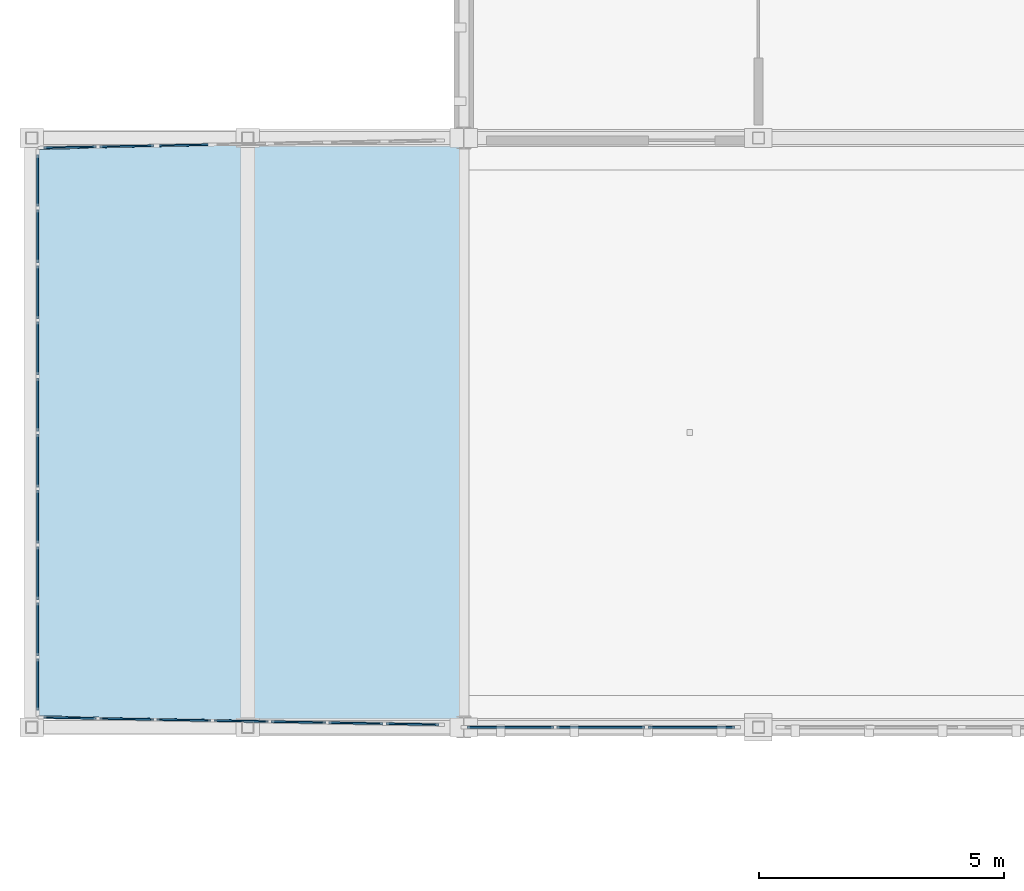
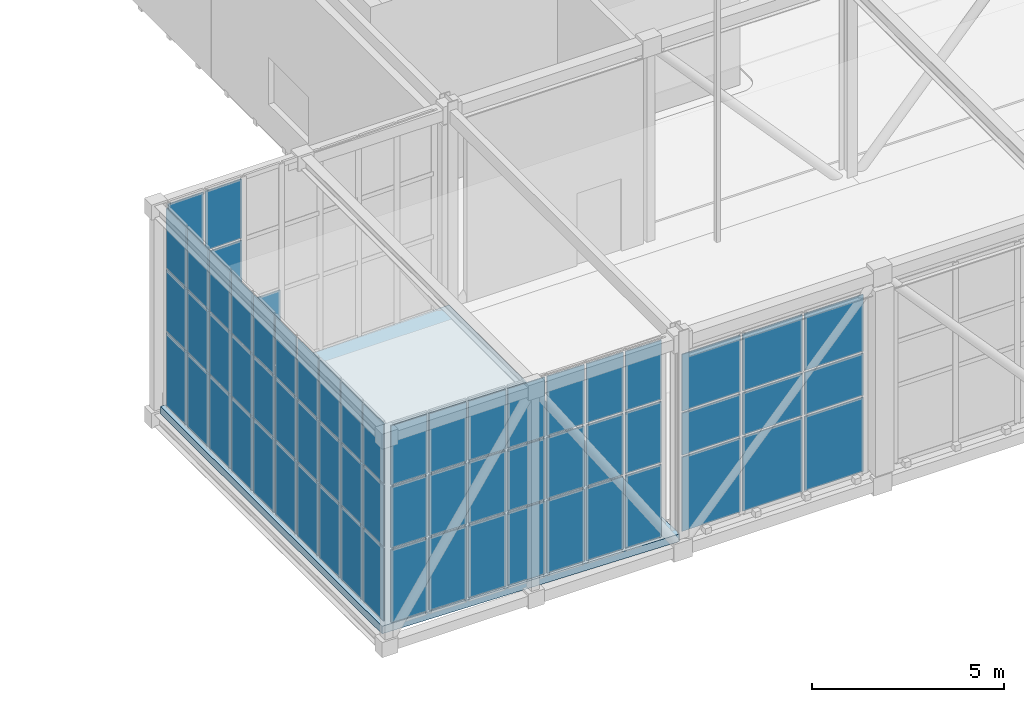
# One storey, part 31 of 62: 67 plates, 1 slab, 4 elements without a shape of their own.
"""IFC4 building model written with IfcOpenShell, lengths in metres."""

from ifc_helpers import new_model, si_unit, direction, frame, origin, origin_2d, place, context, subcontext, project, spatial, polyline, rectangle, outline, extrude, material, layer, layer_set, type_object, element, aggregate, save


model = new_model("IFC4")

# Units and contexts
model_context = context("Model", 3, precision=1e-05, world=origin(), true_north=direction((0.0, 1.0)))
body_context = subcontext(model_context, "Body", "Model", "MODEL_VIEW")
ifc_project = project(units=[si_unit("LENGTHUNIT", "METRE"), si_unit("AREAUNIT", "SQUARE_METRE"), si_unit("VOLUMEUNIT", "CUBIC_METRE"), si_unit("PLANEANGLEUNIT", "RADIAN"), si_unit("MASSUNIT", "GRAM", prefix="KILO")], contexts=[model_context])

# Site, building, storey
site_placement = place(None, origin())
site = spatial("IfcSite", under=ifc_project, at=site_placement, CompositionType="ELEMENT")
building_placement = place(site_placement, origin())
building = spatial("IfcBuilding", under=site, at=building_placement, Name="Zlatogorsky Bluff Art Gallery", CompositionType="ELEMENT")
storey_placement = place(building_placement, frame((0.0, 0.0, 16.800048828125)))
storey = spatial("IfcBuildingStorey", under=building, at=storey_placement, Name="L03", CompositionType="ELEMENT", Elevation=16.800048828125)

# Curtain wall, plates
ifc_material_1 = material(Name="Anodised Bronze Aluminium and Low-Iron Triple Glazing", Category="aluminium")
ifc_layer_1 = layer(ifc_material_1, 0.219970703125)
ifc_layer_set_1 = layer_set([ifc_layer_1], Name="Curtain Wall CW-04")
curtain_wall_type_1 = type_object("IfcCurtainWallType", Name="Curtain Wall CW-04", PredefinedType="USERDEFINED", material=ifc_layer_set_1)
curtain_wall_1_placement = place(storey_placement, origin())
curtain_wall_1 = element("IfcCurtainWall", 1, at=curtain_wall_1_placement, inside=storey, type_object=curtain_wall_type_1, Name="Unitised curtain wall CW-04 L03 S 0.8-A", ObjectType="CURTAIN WALL", PredefinedType="USERDEFINED")
ifc_material_2 = material(Name="Low-Iron Laminated Triple Glazing", Category="glass")
ifc_layer_2 = layer(ifc_material_2, 0.035888671875)
ifc_layer_set_2 = layer_set([ifc_layer_2], Name="Glazed Curtain Panel CWP-01")
plate_type = type_object("IfcPlateType", Name="Glazed Curtain Panel CWP-01", PredefinedType="CURTAIN_PANEL", material=ifc_layer_set_2)
plate_1_placement = place(storey_placement, frame((0.9462890625, 84.0, 0.06494140625), z_axis=(0.0, 0.0, 1.0), x_axis=(1.0, 0.0, 0.0)))
plate_1 = element("IfcPlate", 2, at=plate_1_placement, type_object=plate_type, Name="CW-04 panel 1.1", PredefinedType="CURTAIN_PANEL", context=body_context, shape_type="SweptSolid", body=[
    extrude(rectangle(XDim=1.762451171875, YDim=0.035888671875, at=origin_2d()), origin(), (0.0, 0.0, 1.0), 2.3525390625),
])
plate_2_placement = place(storey_placement, frame((0.9462890625, 84.0, 2.482421875), z_axis=(0.0, 0.0, 1.0), x_axis=(1.0, 0.0, 0.0)))
plate_2 = element("IfcPlate", 3, at=plate_2_placement, type_object=plate_type, Name="CW-04 panel 1.2", PredefinedType="CURTAIN_PANEL", context=body_context, shape_type="SweptSolid", body=[
    extrude(rectangle(XDim=1.762451171875, YDim=0.035888671875, at=origin_2d()), origin(), (0.0, 0.0, 1.0), 1.3349609375),
])
plate_3_placement = place(storey_placement, frame((0.9462890625, 84.0, 3.88232421875), z_axis=(0.0, 0.0, 1.0), x_axis=(1.0, 0.0, 0.0)))
plate_3 = element("IfcPlate", 4, at=plate_3_placement, type_object=plate_type, Name="CW-04 panel 1.3", PredefinedType="CURTAIN_PANEL", context=body_context, shape_type="SweptSolid", body=[
    extrude(rectangle(XDim=1.762451171875, YDim=0.035888671875, at=origin_2d()), origin(), (0.0, 0.0, 1.0), 1.802490234375),
])
plate_4_placement = place(storey_placement, frame((2.7900390625, 84.0, 0.06494140625), z_axis=(0.0, 0.0, 1.0), x_axis=(1.0, 0.0, 0.0)))
plate_4 = element("IfcPlate", 5, at=plate_4_placement, type_object=plate_type, Name="CW-04 panel 2.1", PredefinedType="CURTAIN_PANEL", context=body_context, shape_type="SweptSolid", body=[
    extrude(rectangle(XDim=1.794921875, YDim=0.035888671875, at=origin_2d()), origin(), (0.0, 0.0, 1.0), 2.3525390625),
])
plate_5_placement = place(storey_placement, frame((2.7900390625, 84.0, 2.482421875), z_axis=(0.0, 0.0, 1.0), x_axis=(1.0, 0.0, 0.0)))
plate_5 = element("IfcPlate", 6, at=plate_5_placement, type_object=plate_type, Name="CW-04 panel 2.2", PredefinedType="CURTAIN_PANEL", context=body_context, shape_type="SweptSolid", body=[
    extrude(rectangle(XDim=1.794921875, YDim=0.035888671875, at=origin_2d()), origin(), (0.0, 0.0, 1.0), 1.3349609375),
])
plate_6_placement = place(storey_placement, frame((2.7900390625, 84.0, 3.88232421875), z_axis=(0.0, 0.0, 1.0), x_axis=(1.0, 0.0, 0.0)))
plate_6 = element("IfcPlate", 7, at=plate_6_placement, type_object=plate_type, Name="CW-04 panel 2.3", PredefinedType="CURTAIN_PANEL", context=body_context, shape_type="SweptSolid", body=[
    extrude(rectangle(XDim=1.794921875, YDim=0.035888671875, at=origin_2d()), origin(), (0.0, 0.0, 1.0), 1.802490234375),
])
plate_7_placement = place(storey_placement, frame((4.6337890625, 84.0, 0.06494140625), z_axis=(0.0, 0.0, 1.0), x_axis=(1.0, 0.0, 0.0)))
plate_7 = element("IfcPlate", 8, at=plate_7_placement, type_object=plate_type, Name="CW-04 panel 3.1", PredefinedType="CURTAIN_PANEL", context=body_context, shape_type="SweptSolid", body=[
    extrude(rectangle(XDim=1.762451171875, YDim=0.035888671875, at=origin_2d()), origin(), (0.0, 0.0, 1.0), 2.3525390625),
])
plate_8_placement = place(storey_placement, frame((4.6337890625, 84.0, 2.482421875), z_axis=(0.0, 0.0, 1.0), x_axis=(1.0, 0.0, 0.0)))
plate_8 = element("IfcPlate", 9, at=plate_8_placement, type_object=plate_type, Name="CW-04 panel 3.2", PredefinedType="CURTAIN_PANEL", context=body_context, shape_type="SweptSolid", body=[
    extrude(rectangle(XDim=1.762451171875, YDim=0.035888671875, at=origin_2d()), origin(), (0.0, 0.0, 1.0), 1.3349609375),
])
plate_9_placement = place(storey_placement, frame((4.6337890625, 84.0, 3.88232421875), z_axis=(0.0, 0.0, 1.0), x_axis=(1.0, 0.0, 0.0)))
plate_9 = element("IfcPlate", 10, at=plate_9_placement, type_object=plate_type, Name="CW-04 panel 3.3", PredefinedType="CURTAIN_PANEL", context=body_context, shape_type="SweptSolid", body=[
    extrude(rectangle(XDim=1.762451171875, YDim=0.035888671875, at=origin_2d()), origin(), (0.0, 0.0, 1.0), 1.802490234375),
])
aggregate(curtain_wall_1, [plate_1, plate_2, plate_3, plate_4, plate_5, plate_6, plate_7, plate_8, plate_9])

ifc_layer_3 = layer(ifc_material_1, 0.179931640625)
ifc_layer_set_3 = layer_set([ifc_layer_3], Name="Curtain Wall CW-03")
curtain_wall_type_2 = type_object("IfcCurtainWallType", Name="Curtain Wall CW-03", PredefinedType="USERDEFINED", material=ifc_layer_set_3)
curtain_wall_2_placement = place(storey_placement, origin())
curtain_wall_2 = element("IfcCurtainWall", 11, at=curtain_wall_2_placement, inside=storey, type_object=curtain_wall_type_2, Name="Cantilevered lookout curtain wall W", ObjectType="CURTAIN WALL", PredefinedType="USERDEFINED")
plate_10_placement = place(storey_placement, frame((-8.679931640625, 95.1318359375, 0.06494140625), z_axis=(0.0, 0.0, 1.0), x_axis=(0.0, -1.0, 0.0)))
plate_10 = element("IfcPlate", 12, at=plate_10_placement, type_object=plate_type, Name="CW-03 panel 1.1", PredefinedType="CURTAIN_PANEL", context=body_context, shape_type="SweptSolid", body=[
    extrude(rectangle(XDim=1.04638671875, YDim=0.035888671875, at=origin_2d()), origin(), (0.0, 0.0, 1.0), 2.302490234375),
])
plate_11_placement = place(storey_placement, frame((-8.679931640625, 95.1318359375, 2.432373046875), z_axis=(0.0, 0.0, 1.0), x_axis=(0.0, -1.0, 0.0)))
plate_11 = element("IfcPlate", 13, at=plate_11_placement, type_object=plate_type, Name="CW-03 panel 1.2", PredefinedType="CURTAIN_PANEL", context=body_context, shape_type="SweptSolid", body=[
    extrude(rectangle(XDim=1.04638671875, YDim=0.035888671875, at=origin_2d()), origin(), (0.0, 0.0, 1.0), 1.93505859375),
])
plate_12_placement = place(storey_placement, frame((-8.679931640625, 95.1318359375, 4.4326171875), z_axis=(0.0, 0.0, 1.0), x_axis=(0.0, -1.0, 0.0)))
plate_12 = element("IfcPlate", 14, at=plate_12_placement, type_object=plate_type, Name="CW-03 panel 1.3", PredefinedType="CURTAIN_PANEL", context=body_context, shape_type="SweptSolid", body=[
    extrude(rectangle(XDim=1.04638671875, YDim=0.035888671875, at=origin_2d()), origin(), (0.0, 0.0, 1.0), 1.882568359375),
])
plate_13_placement = place(storey_placement, frame((-8.679931640625, 94.00390625, 0.06494140625), z_axis=(0.0, 0.0, 1.0), x_axis=(0.0, -1.0, 0.0)))
plate_13 = element("IfcPlate", 15, at=plate_13_placement, type_object=plate_type, Name="CW-03 panel 2.1", PredefinedType="CURTAIN_PANEL", context=body_context, shape_type="SweptSolid", body=[
    extrude(rectangle(XDim=1.0791015625, YDim=0.035888671875, at=origin_2d()), origin(), (0.0, 0.0, 1.0), 2.302490234375),
])
plate_14_placement = place(storey_placement, frame((-8.679931640625, 94.00390625, 2.432373046875), z_axis=(0.0, 0.0, 1.0), x_axis=(0.0, -1.0, 0.0)))
plate_14 = element("IfcPlate", 16, at=plate_14_placement, type_object=plate_type, Name="CW-03 panel 2.2", PredefinedType="CURTAIN_PANEL", context=body_context, shape_type="SweptSolid", body=[
    extrude(rectangle(XDim=1.0791015625, YDim=0.035888671875, at=origin_2d()), origin(), (0.0, 0.0, 1.0), 1.93505859375),
])
plate_15_placement = place(storey_placement, frame((-8.679931640625, 94.00390625, 4.4326171875), z_axis=(0.0, 0.0, 1.0), x_axis=(0.0, -1.0, 0.0)))
plate_15 = element("IfcPlate", 17, at=plate_15_placement, type_object=plate_type, Name="CW-03 panel 2.3", PredefinedType="CURTAIN_PANEL", context=body_context, shape_type="SweptSolid", body=[
    extrude(rectangle(XDim=1.0791015625, YDim=0.035888671875, at=origin_2d()), origin(), (0.0, 0.0, 1.0), 1.882568359375),
])
plate_16_placement = place(storey_placement, frame((-8.679931640625, 92.860107421875, 0.06494140625), z_axis=(0.0, 0.0, 1.0), x_axis=(0.0, -1.0, 0.0)))
plate_16 = element("IfcPlate", 18, at=plate_16_placement, type_object=plate_type, Name="CW-03 panel 3.1", PredefinedType="CURTAIN_PANEL", context=body_context, shape_type="SweptSolid", body=[
    extrude(rectangle(XDim=1.0791015625, YDim=0.035888671875, at=origin_2d()), origin(), (0.0, 0.0, 1.0), 2.302490234375),
])
plate_17_placement = place(storey_placement, frame((-8.679931640625, 92.860107421875, 2.432373046875), z_axis=(0.0, 0.0, 1.0), x_axis=(0.0, -1.0, 0.0)))
plate_17 = element("IfcPlate", 19, at=plate_17_placement, type_object=plate_type, Name="CW-03 panel 3.2", PredefinedType="CURTAIN_PANEL", context=body_context, shape_type="SweptSolid", body=[
    extrude(rectangle(XDim=1.0791015625, YDim=0.035888671875, at=origin_2d()), origin(), (0.0, 0.0, 1.0), 1.93505859375),
])
plate_18_placement = place(storey_placement, frame((-8.679931640625, 92.860107421875, 4.4326171875), z_axis=(0.0, 0.0, 1.0), x_axis=(0.0, -1.0, 0.0)))
plate_18 = element("IfcPlate", 20, at=plate_18_placement, type_object=plate_type, Name="CW-03 panel 3.3", PredefinedType="CURTAIN_PANEL", context=body_context, shape_type="SweptSolid", body=[
    extrude(rectangle(XDim=1.0791015625, YDim=0.035888671875, at=origin_2d()), origin(), (0.0, 0.0, 1.0), 1.882568359375),
])
plate_19_placement = place(storey_placement, frame((-8.679931640625, 91.716064453125, 0.06494140625), z_axis=(0.0, 0.0, 1.0), x_axis=(0.0, -1.0, 0.0)))
plate_19 = element("IfcPlate", 21, at=plate_19_placement, type_object=plate_type, Name="CW-03 panel 4.1", PredefinedType="CURTAIN_PANEL", context=body_context, shape_type="SweptSolid", body=[
    extrude(rectangle(XDim=1.0791015625, YDim=0.035888671875, at=origin_2d()), origin(), (0.0, 0.0, 1.0), 2.302490234375),
])
plate_20_placement = place(storey_placement, frame((-8.679931640625, 91.716064453125, 2.432373046875), z_axis=(0.0, 0.0, 1.0), x_axis=(0.0, -1.0, 0.0)))
plate_20 = element("IfcPlate", 22, at=plate_20_placement, type_object=plate_type, Name="CW-03 panel 4.2", PredefinedType="CURTAIN_PANEL", context=body_context, shape_type="SweptSolid", body=[
    extrude(rectangle(XDim=1.0791015625, YDim=0.035888671875, at=origin_2d()), origin(), (0.0, 0.0, 1.0), 1.93505859375),
])
plate_21_placement = place(storey_placement, frame((-8.679931640625, 91.716064453125, 4.4326171875), z_axis=(0.0, 0.0, 1.0), x_axis=(0.0, -1.0, 0.0)))
plate_21 = element("IfcPlate", 23, at=plate_21_placement, type_object=plate_type, Name="CW-03 panel 4.3", PredefinedType="CURTAIN_PANEL", context=body_context, shape_type="SweptSolid", body=[
    extrude(rectangle(XDim=1.0791015625, YDim=0.035888671875, at=origin_2d()), origin(), (0.0, 0.0, 1.0), 1.882568359375),
])
plate_22_placement = place(storey_placement, frame((-8.679931640625, 90.572021484375, 0.06494140625), z_axis=(0.0, 0.0, 1.0), x_axis=(0.0, -1.0, 0.0)))
plate_22 = element("IfcPlate", 24, at=plate_22_placement, type_object=plate_type, Name="CW-03 panel 5.1", PredefinedType="CURTAIN_PANEL", context=body_context, shape_type="SweptSolid", body=[
    extrude(rectangle(XDim=1.0791015625, YDim=0.035888671875, at=origin_2d()), origin(), (0.0, 0.0, 1.0), 2.302490234375),
])
plate_23_placement = place(storey_placement, frame((-8.679931640625, 90.572021484375, 2.432373046875), z_axis=(0.0, 0.0, 1.0), x_axis=(0.0, -1.0, 0.0)))
plate_23 = element("IfcPlate", 25, at=plate_23_placement, type_object=plate_type, Name="CW-03 panel 5.2", PredefinedType="CURTAIN_PANEL", context=body_context, shape_type="SweptSolid", body=[
    extrude(rectangle(XDim=1.0791015625, YDim=0.035888671875, at=origin_2d()), origin(), (0.0, 0.0, 1.0), 1.93505859375),
])
plate_24_placement = place(storey_placement, frame((-8.679931640625, 90.572021484375, 4.4326171875), z_axis=(0.0, 0.0, 1.0), x_axis=(0.0, -1.0, 0.0)))
plate_24 = element("IfcPlate", 26, at=plate_24_placement, type_object=plate_type, Name="CW-03 panel 5.3", PredefinedType="CURTAIN_PANEL", context=body_context, shape_type="SweptSolid", body=[
    extrude(rectangle(XDim=1.0791015625, YDim=0.035888671875, at=origin_2d()), origin(), (0.0, 0.0, 1.0), 1.882568359375),
])
plate_25_placement = place(storey_placement, frame((-8.679931640625, 89.427978515625, 0.06494140625), z_axis=(0.0, 0.0, 1.0), x_axis=(0.0, -1.0, 0.0)))
plate_25 = element("IfcPlate", 27, at=plate_25_placement, type_object=plate_type, Name="CW-03 panel 6.1", PredefinedType="CURTAIN_PANEL", context=body_context, shape_type="SweptSolid", body=[
    extrude(rectangle(XDim=1.0791015625, YDim=0.035888671875, at=origin_2d()), origin(), (0.0, 0.0, 1.0), 2.302490234375),
])
plate_26_placement = place(storey_placement, frame((-8.679931640625, 89.427978515625, 2.432373046875), z_axis=(0.0, 0.0, 1.0), x_axis=(0.0, -1.0, 0.0)))
plate_26 = element("IfcPlate", 28, at=plate_26_placement, type_object=plate_type, Name="CW-03 panel 6.2", PredefinedType="CURTAIN_PANEL", context=body_context, shape_type="SweptSolid", body=[
    extrude(rectangle(XDim=1.0791015625, YDim=0.035888671875, at=origin_2d()), origin(), (0.0, 0.0, 1.0), 1.93505859375),
])
plate_27_placement = place(storey_placement, frame((-8.679931640625, 89.427978515625, 4.4326171875), z_axis=(0.0, 0.0, 1.0), x_axis=(0.0, -1.0, 0.0)))
plate_27 = element("IfcPlate", 29, at=plate_27_placement, type_object=plate_type, Name="CW-03 panel 6.3", PredefinedType="CURTAIN_PANEL", context=body_context, shape_type="SweptSolid", body=[
    extrude(rectangle(XDim=1.0791015625, YDim=0.035888671875, at=origin_2d()), origin(), (0.0, 0.0, 1.0), 1.882568359375),
])
plate_28_placement = place(storey_placement, frame((-8.679931640625, 88.283935546875, 0.06494140625), z_axis=(0.0, 0.0, 1.0), x_axis=(0.0, -1.0, 0.0)))
plate_28 = element("IfcPlate", 30, at=plate_28_placement, type_object=plate_type, Name="CW-03 panel 7.1", PredefinedType="CURTAIN_PANEL", context=body_context, shape_type="SweptSolid", body=[
    extrude(rectangle(XDim=1.0791015625, YDim=0.035888671875, at=origin_2d()), origin(), (0.0, 0.0, 1.0), 2.302490234375),
])
plate_29_placement = place(storey_placement, frame((-8.679931640625, 88.283935546875, 2.432373046875), z_axis=(0.0, 0.0, 1.0), x_axis=(0.0, -1.0, 0.0)))
plate_29 = element("IfcPlate", 31, at=plate_29_placement, type_object=plate_type, Name="CW-03 panel 7.2", PredefinedType="CURTAIN_PANEL", context=body_context, shape_type="SweptSolid", body=[
    extrude(rectangle(XDim=1.0791015625, YDim=0.035888671875, at=origin_2d()), origin(), (0.0, 0.0, 1.0), 1.93505859375),
])
plate_30_placement = place(storey_placement, frame((-8.679931640625, 88.283935546875, 4.4326171875), z_axis=(0.0, 0.0, 1.0), x_axis=(0.0, -1.0, 0.0)))
plate_30 = element("IfcPlate", 32, at=plate_30_placement, type_object=plate_type, Name="CW-03 panel 7.3", PredefinedType="CURTAIN_PANEL", context=body_context, shape_type="SweptSolid", body=[
    extrude(rectangle(XDim=1.0791015625, YDim=0.035888671875, at=origin_2d()), origin(), (0.0, 0.0, 1.0), 1.882568359375),
])
plate_31_placement = place(storey_placement, frame((-8.679931640625, 87.139892578125, 0.06494140625), z_axis=(0.0, 0.0, 1.0), x_axis=(0.0, -1.0, 0.0)))
plate_31 = element("IfcPlate", 33, at=plate_31_placement, type_object=plate_type, Name="CW-03 panel 8.1", PredefinedType="CURTAIN_PANEL", context=body_context, shape_type="SweptSolid", body=[
    extrude(rectangle(XDim=1.0791015625, YDim=0.035888671875, at=origin_2d()), origin(), (0.0, 0.0, 1.0), 2.302490234375),
])
plate_32_placement = place(storey_placement, frame((-8.679931640625, 87.139892578125, 2.432373046875), z_axis=(0.0, 0.0, 1.0), x_axis=(0.0, -1.0, 0.0)))
plate_32 = element("IfcPlate", 34, at=plate_32_placement, type_object=plate_type, Name="CW-03 panel 8.2", PredefinedType="CURTAIN_PANEL", context=body_context, shape_type="SweptSolid", body=[
    extrude(rectangle(XDim=1.0791015625, YDim=0.035888671875, at=origin_2d()), origin(), (0.0, 0.0, 1.0), 1.93505859375),
])
plate_33_placement = place(storey_placement, frame((-8.679931640625, 87.139892578125, 4.4326171875), z_axis=(0.0, 0.0, 1.0), x_axis=(0.0, -1.0, 0.0)))
plate_33 = element("IfcPlate", 35, at=plate_33_placement, type_object=plate_type, Name="CW-03 panel 8.3", PredefinedType="CURTAIN_PANEL", context=body_context, shape_type="SweptSolid", body=[
    extrude(rectangle(XDim=1.0791015625, YDim=0.035888671875, at=origin_2d()), origin(), (0.0, 0.0, 1.0), 1.882568359375),
])
plate_34_placement = place(storey_placement, frame((-8.679931640625, 85.99609375, 0.06494140625), z_axis=(0.0, 0.0, 1.0), x_axis=(0.0, -1.0, 0.0)))
plate_34 = element("IfcPlate", 36, at=plate_34_placement, type_object=plate_type, Name="CW-03 panel 9.1", PredefinedType="CURTAIN_PANEL", context=body_context, shape_type="SweptSolid", body=[
    extrude(rectangle(XDim=1.0791015625, YDim=0.035888671875, at=origin_2d()), origin(), (0.0, 0.0, 1.0), 2.302490234375),
])
plate_35_placement = place(storey_placement, frame((-8.679931640625, 85.99609375, 2.432373046875), z_axis=(0.0, 0.0, 1.0), x_axis=(0.0, -1.0, 0.0)))
plate_35 = element("IfcPlate", 37, at=plate_35_placement, type_object=plate_type, Name="CW-03 panel 9.2", PredefinedType="CURTAIN_PANEL", context=body_context, shape_type="SweptSolid", body=[
    extrude(rectangle(XDim=1.0791015625, YDim=0.035888671875, at=origin_2d()), origin(), (0.0, 0.0, 1.0), 1.93505859375),
])
plate_36_placement = place(storey_placement, frame((-8.679931640625, 85.99609375, 4.4326171875), z_axis=(0.0, 0.0, 1.0), x_axis=(0.0, -1.0, 0.0)))
plate_36 = element("IfcPlate", 38, at=plate_36_placement, type_object=plate_type, Name="CW-03 panel 9.3", PredefinedType="CURTAIN_PANEL", context=body_context, shape_type="SweptSolid", body=[
    extrude(rectangle(XDim=1.0791015625, YDim=0.035888671875, at=origin_2d()), origin(), (0.0, 0.0, 1.0), 1.882568359375),
])
plate_37_placement = place(storey_placement, frame((-8.679931640625, 84.8681640625, 0.06494140625), z_axis=(0.0, 0.0, 1.0), x_axis=(0.0, -1.0, 0.0)))
plate_37 = element("IfcPlate", 39, at=plate_37_placement, type_object=plate_type, Name="CW-03 panel 10.1", PredefinedType="CURTAIN_PANEL", context=body_context, shape_type="SweptSolid", body=[
    extrude(rectangle(XDim=1.04638671875, YDim=0.035888671875, at=origin_2d()), origin(), (0.0, 0.0, 1.0), 2.302490234375),
])
plate_38_placement = place(storey_placement, frame((-8.679931640625, 84.8681640625, 2.432373046875), z_axis=(0.0, 0.0, 1.0), x_axis=(0.0, -1.0, 0.0)))
plate_38 = element("IfcPlate", 40, at=plate_38_placement, type_object=plate_type, Name="CW-03 panel 10.2", PredefinedType="CURTAIN_PANEL", context=body_context, shape_type="SweptSolid", body=[
    extrude(rectangle(XDim=1.04638671875, YDim=0.035888671875, at=origin_2d()), origin(), (0.0, 0.0, 1.0), 1.93505859375),
])
plate_39_placement = place(storey_placement, frame((-8.679931640625, 84.8681640625, 4.4326171875), z_axis=(0.0, 0.0, 1.0), x_axis=(0.0, -1.0, 0.0)))
plate_39 = element("IfcPlate", 41, at=plate_39_placement, type_object=plate_type, Name="CW-03 panel 10.3", PredefinedType="CURTAIN_PANEL", context=body_context, shape_type="SweptSolid", body=[
    extrude(rectangle(XDim=1.04638671875, YDim=0.035888671875, at=origin_2d()), origin(), (0.0, 0.0, 1.0), 1.882568359375),
])
aggregate(curtain_wall_2, [plate_10, plate_11, plate_12, plate_13, plate_14, plate_15, plate_16, plate_17, plate_18, plate_19, plate_20, plate_21, plate_22, plate_23, plate_24, plate_25, plate_26, plate_27, plate_28, plate_29, plate_30, plate_31, plate_32, plate_33, plate_34, plate_35, plate_36, plate_37, plate_38, plate_39])

curtain_wall_3_placement = place(storey_placement, origin())
curtain_wall_3 = element("IfcCurtainWall", 42, at=curtain_wall_3_placement, inside=storey, type_object=curtain_wall_type_2, Name="Cantilevered lookout curtain wall S", ObjectType="CURTAIN WALL", PredefinedType="USERDEFINED")
plate_40_placement = place(storey_placement, frame((-8.020263671875, 84.18896484375, 0.06494140625), z_axis=(0.0, 0.0, 1.0), x_axis=(0.999831500494, -0.018356759503, 0.0)))
plate_40 = element("IfcPlate", 43, at=plate_40_placement, type_object=plate_type, Name="CW-03 panel 1.1", PredefinedType="CURTAIN_PANEL", context=body_context, shape_type="SweptSolid", body=[
    extrude(rectangle(XDim=1.06982421875, YDim=0.035888671875, at=origin_2d()), origin(), (0.0, 0.0, 1.0), 2.302490234375),
])
plate_41_placement = place(storey_placement, frame((-8.020263671875, 84.18896484375, 2.432373046875), z_axis=(0.0, 0.0, 1.0), x_axis=(0.999831500494, -0.018356759503, 0.0)))
plate_41 = element("IfcPlate", 44, at=plate_41_placement, type_object=plate_type, Name="CW-03 panel 1.2", PredefinedType="CURTAIN_PANEL", context=body_context, shape_type="SweptSolid", body=[
    extrude(rectangle(XDim=1.06982421875, YDim=0.035888671875, at=origin_2d()), origin(), (0.0, 0.0, 1.0), 1.93505859375),
])
plate_42_placement = place(storey_placement, frame((-8.020263671875, 84.18896484375, 4.4326171875), z_axis=(0.0, 0.0, 1.0), x_axis=(0.999831500494, -0.018356759503, 0.0)))
plate_42 = element("IfcPlate", 45, at=plate_42_placement, type_object=plate_type, Name="CW-03 panel 1.3", PredefinedType="CURTAIN_PANEL", context=body_context, shape_type="SweptSolid", body=[
    extrude(rectangle(XDim=1.06982421875, YDim=0.035888671875, at=origin_2d()), origin(), (0.0, 0.0, 1.0), 1.882568359375),
])
plate_43_placement = place(storey_placement, frame((-6.869384765625, 84.16796875, 0.06494140625), z_axis=(0.0, 0.0, 1.0), x_axis=(0.999831500494, -0.018356759503, 0.0)))
plate_43 = element("IfcPlate", 46, at=plate_43_placement, type_object=plate_type, Name="CW-03 panel 2.1", PredefinedType="CURTAIN_PANEL", context=body_context, shape_type="SweptSolid", body=[
    extrude(rectangle(XDim=1.102294921875, YDim=0.035888671875, at=origin_2d()), origin(), (0.0, 0.0, 1.0), 2.302490234375),
])
plate_44_placement = place(storey_placement, frame((-6.869384765625, 84.16796875, 2.432373046875), z_axis=(0.0, 0.0, 1.0), x_axis=(0.999831500494, -0.018356759503, 0.0)))
plate_44 = element("IfcPlate", 47, at=plate_44_placement, type_object=plate_type, Name="CW-03 panel 2.2", PredefinedType="CURTAIN_PANEL", context=body_context, shape_type="SweptSolid", body=[
    extrude(rectangle(XDim=1.102294921875, YDim=0.035888671875, at=origin_2d()), origin(), (0.0, 0.0, 1.0), 1.93505859375),
])
plate_45_placement = place(storey_placement, frame((-6.869384765625, 84.16796875, 4.4326171875), z_axis=(0.0, 0.0, 1.0), x_axis=(0.999831500494, -0.018356759503, 0.0)))
plate_45 = element("IfcPlate", 48, at=plate_45_placement, type_object=plate_type, Name="CW-03 panel 2.3", PredefinedType="CURTAIN_PANEL", context=body_context, shape_type="SweptSolid", body=[
    extrude(rectangle(XDim=1.102294921875, YDim=0.035888671875, at=origin_2d()), origin(), (0.0, 0.0, 1.0), 1.882568359375),
])
plate_46_placement = place(storey_placement, frame((-5.7021484375, 84.146484375, 0.06494140625), z_axis=(0.0, 0.0, 1.0), x_axis=(0.999831500494, -0.018356759503, 0.0)))
plate_46 = element("IfcPlate", 49, at=plate_46_placement, type_object=plate_type, Name="CW-03 panel 3.1", PredefinedType="CURTAIN_PANEL", context=body_context, shape_type="SweptSolid", body=[
    extrude(rectangle(XDim=1.102294921875, YDim=0.035888671875, at=origin_2d()), origin(), (0.0, 0.0, 1.0), 2.302490234375),
])
plate_47_placement = place(storey_placement, frame((-5.7021484375, 84.146484375, 2.432373046875), z_axis=(0.0, 0.0, 1.0), x_axis=(0.999831500494, -0.018356759503, 0.0)))
plate_47 = element("IfcPlate", 50, at=plate_47_placement, type_object=plate_type, Name="CW-03 panel 3.2", PredefinedType="CURTAIN_PANEL", context=body_context, shape_type="SweptSolid", body=[
    extrude(rectangle(XDim=1.102294921875, YDim=0.035888671875, at=origin_2d()), origin(), (0.0, 0.0, 1.0), 1.93505859375),
])
plate_48_placement = place(storey_placement, frame((-5.7021484375, 84.146484375, 4.4326171875), z_axis=(0.0, 0.0, 1.0), x_axis=(0.999831500494, -0.018356759503, 0.0)))
plate_48 = element("IfcPlate", 51, at=plate_48_placement, type_object=plate_type, Name="CW-03 panel 3.3", PredefinedType="CURTAIN_PANEL", context=body_context, shape_type="SweptSolid", body=[
    extrude(rectangle(XDim=1.102294921875, YDim=0.035888671875, at=origin_2d()), origin(), (0.0, 0.0, 1.0), 1.882568359375),
])
plate_49_placement = place(storey_placement, frame((-4.534912109375, 84.125, 0.06494140625), z_axis=(0.0, 0.0, 1.0), x_axis=(0.999831500494, -0.018356759503, 0.0)))
plate_49 = element("IfcPlate", 52, at=plate_49_placement, type_object=plate_type, Name="CW-03 panel 4.1", PredefinedType="CURTAIN_PANEL", context=body_context, shape_type="SweptSolid", body=[
    extrude(rectangle(XDim=1.102294921875, YDim=0.035888671875, at=origin_2d()), origin(), (0.0, 0.0, 1.0), 2.302490234375),
])
plate_50_placement = place(storey_placement, frame((-4.534912109375, 84.125, 2.432373046875), z_axis=(0.0, 0.0, 1.0), x_axis=(0.999831500494, -0.018356759503, 0.0)))
plate_50 = element("IfcPlate", 53, at=plate_50_placement, type_object=plate_type, Name="CW-03 panel 4.2", PredefinedType="CURTAIN_PANEL", context=body_context, shape_type="SweptSolid", body=[
    extrude(rectangle(XDim=1.102294921875, YDim=0.035888671875, at=origin_2d()), origin(), (0.0, 0.0, 1.0), 1.93505859375),
])
plate_51_placement = place(storey_placement, frame((-4.534912109375, 84.125, 4.4326171875), z_axis=(0.0, 0.0, 1.0), x_axis=(0.999831500494, -0.018356759503, 0.0)))
plate_51 = element("IfcPlate", 54, at=plate_51_placement, type_object=plate_type, Name="CW-03 panel 4.3", PredefinedType="CURTAIN_PANEL", context=body_context, shape_type="SweptSolid", body=[
    extrude(rectangle(XDim=1.102294921875, YDim=0.035888671875, at=origin_2d()), origin(), (0.0, 0.0, 1.0), 1.882568359375),
])
plate_52_placement = place(storey_placement, frame((-3.367919921875, 84.103515625, 0.06494140625), z_axis=(0.0, 0.0, 1.0), x_axis=(0.999831500494, -0.018356759503, 0.0)))
plate_52 = element("IfcPlate", 55, at=plate_52_placement, type_object=plate_type, Name="CW-03 panel 5.1", PredefinedType="CURTAIN_PANEL", context=body_context, shape_type="SweptSolid", body=[
    extrude(rectangle(XDim=1.102294921875, YDim=0.035888671875, at=origin_2d()), origin(), (0.0, 0.0, 1.0), 2.302490234375),
])
plate_53_placement = place(storey_placement, frame((-3.367919921875, 84.103515625, 2.432373046875), z_axis=(0.0, 0.0, 1.0), x_axis=(0.999831500494, -0.018356759503, 0.0)))
plate_53 = element("IfcPlate", 56, at=plate_53_placement, type_object=plate_type, Name="CW-03 panel 5.2", PredefinedType="CURTAIN_PANEL", context=body_context, shape_type="SweptSolid", body=[
    extrude(rectangle(XDim=1.102294921875, YDim=0.035888671875, at=origin_2d()), origin(), (0.0, 0.0, 1.0), 1.93505859375),
])
plate_54_placement = place(storey_placement, frame((-3.367919921875, 84.103515625, 4.4326171875), z_axis=(0.0, 0.0, 1.0), x_axis=(0.999831500494, -0.018356759503, 0.0)))
plate_54 = element("IfcPlate", 57, at=plate_54_placement, type_object=plate_type, Name="CW-03 panel 5.3", PredefinedType="CURTAIN_PANEL", context=body_context, shape_type="SweptSolid", body=[
    extrude(rectangle(XDim=1.102294921875, YDim=0.035888671875, at=origin_2d()), origin(), (0.0, 0.0, 1.0), 1.882568359375),
])
plate_55_placement = place(storey_placement, frame((-2.20068359375, 84.08203125, 0.06494140625), z_axis=(0.0, 0.0, 1.0), x_axis=(0.999831500494, -0.018356759503, 0.0)))
plate_55 = element("IfcPlate", 58, at=plate_55_placement, type_object=plate_type, Name="CW-03 panel 6.1", PredefinedType="CURTAIN_PANEL", context=body_context, shape_type="SweptSolid", body=[
    extrude(rectangle(XDim=1.102294921875, YDim=0.035888671875, at=origin_2d()), origin(), (0.0, 0.0, 1.0), 2.302490234375),
])
plate_56_placement = place(storey_placement, frame((-2.20068359375, 84.08203125, 2.432373046875), z_axis=(0.0, 0.0, 1.0), x_axis=(0.999831500494, -0.018356759503, 0.0)))
plate_56 = element("IfcPlate", 59, at=plate_56_placement, type_object=plate_type, Name="CW-03 panel 6.2", PredefinedType="CURTAIN_PANEL", context=body_context, shape_type="SweptSolid", body=[
    extrude(rectangle(XDim=1.102294921875, YDim=0.035888671875, at=origin_2d()), origin(), (0.0, 0.0, 1.0), 1.93505859375),
])
plate_57_placement = place(storey_placement, frame((-2.20068359375, 84.08203125, 4.4326171875), z_axis=(0.0, 0.0, 1.0), x_axis=(0.999831500494, -0.018356759503, 0.0)))
plate_57 = element("IfcPlate", 60, at=plate_57_placement, type_object=plate_type, Name="CW-03 panel 6.3", PredefinedType="CURTAIN_PANEL", context=body_context, shape_type="SweptSolid", body=[
    extrude(rectangle(XDim=1.102294921875, YDim=0.035888671875, at=origin_2d()), origin(), (0.0, 0.0, 1.0), 1.882568359375),
])
plate_58_placement = place(storey_placement, frame((-1.0498046875, 84.06103515625, 0.06494140625), z_axis=(0.0, 0.0, 1.0), x_axis=(0.999831500494, -0.018356759503, 0.0)))
plate_58 = element("IfcPlate", 61, at=plate_58_placement, type_object=plate_type, Name="CW-03 panel 7.1", PredefinedType="CURTAIN_PANEL", context=body_context, shape_type="SweptSolid", body=[
    extrude(rectangle(XDim=1.06982421875, YDim=0.035888671875, at=origin_2d()), origin(), (0.0, 0.0, 1.0), 2.302490234375),
])
plate_59_placement = place(storey_placement, frame((-1.0498046875, 84.06103515625, 2.432373046875), z_axis=(0.0, 0.0, 1.0), x_axis=(0.999831500494, -0.018356759503, 0.0)))
plate_59 = element("IfcPlate", 62, at=plate_59_placement, type_object=plate_type, Name="CW-03 panel 7.2", PredefinedType="CURTAIN_PANEL", context=body_context, shape_type="SweptSolid", body=[
    extrude(rectangle(XDim=1.06982421875, YDim=0.035888671875, at=origin_2d()), origin(), (0.0, 0.0, 1.0), 1.93505859375),
])
plate_60_placement = place(storey_placement, frame((-1.0498046875, 84.06103515625, 4.4326171875), z_axis=(0.0, 0.0, 1.0), x_axis=(0.999831500494, -0.018356759503, 0.0)))
plate_60 = element("IfcPlate", 63, at=plate_60_placement, type_object=plate_type, Name="CW-03 panel 7.3", PredefinedType="CURTAIN_PANEL", context=body_context, shape_type="SweptSolid", body=[
    extrude(rectangle(XDim=1.06982421875, YDim=0.035888671875, at=origin_2d()), origin(), (0.0, 0.0, 1.0), 1.882568359375),
])
aggregate(curtain_wall_3, [plate_40, plate_41, plate_42, plate_43, plate_44, plate_45, plate_46, plate_47, plate_48, plate_49, plate_50, plate_51, plate_52, plate_53, plate_54, plate_55, plate_56, plate_57, plate_58, plate_59, plate_60])

curtain_wall_4_placement = place(storey_placement, origin())
curtain_wall_4 = element("IfcCurtainWall", 64, at=curtain_wall_4_placement, inside=storey, type_object=curtain_wall_type_2, Name="Cantilevered lookout curtain wall N", ObjectType="CURTAIN WALL", PredefinedType="USERDEFINED")
plate_61_placement = place(storey_placement, frame((-5.7021484375, 95.853515625, 0.06494140625), z_axis=(0.0, 0.0, 1.0), x_axis=(-0.999831500494, -0.018356759503, 0.0)))
plate_61 = element("IfcPlate", 65, at=plate_61_placement, type_object=plate_type, Name="CW-03 panel 5.1", PredefinedType="CURTAIN_PANEL", context=body_context, shape_type="SweptSolid", body=[
    extrude(rectangle(XDim=1.102294921875, YDim=0.035888671875, at=origin_2d()), origin(), (0.0, 0.0, 1.0), 2.302490234375),
])
plate_62_placement = place(storey_placement, frame((-6.869384765625, 95.83203125, 0.06494140625), z_axis=(0.0, 0.0, 1.0), x_axis=(-0.999831500494, -0.018356759503, 0.0)))
plate_62 = element("IfcPlate", 66, at=plate_62_placement, type_object=plate_type, Name="CW-03 panel 6.1", PredefinedType="CURTAIN_PANEL", context=body_context, shape_type="SweptSolid", body=[
    extrude(rectangle(XDim=1.102294921875, YDim=0.035888671875, at=origin_2d()), origin(), (0.0, 0.0, 1.0), 2.302490234375),
])
plate_63_placement = place(storey_placement, frame((-6.869384765625, 95.83203125, 2.432373046875), z_axis=(0.0, 0.0, 1.0), x_axis=(-0.999831500494, -0.018356759503, 0.0)))
plate_63 = element("IfcPlate", 67, at=plate_63_placement, type_object=plate_type, Name="CW-03 panel 6.2", PredefinedType="CURTAIN_PANEL", context=body_context, shape_type="SweptSolid", body=[
    extrude(rectangle(XDim=1.102294921875, YDim=0.035888671875, at=origin_2d()), origin(), (0.0, 0.0, 1.0), 1.93505859375),
])
plate_64_placement = place(storey_placement, frame((-6.869384765625, 95.83203125, 4.4326171875), z_axis=(0.0, 0.0, 1.0), x_axis=(-0.999831500494, -0.018356759503, 0.0)))
plate_64 = element("IfcPlate", 68, at=plate_64_placement, type_object=plate_type, Name="CW-03 panel 6.3", PredefinedType="CURTAIN_PANEL", context=body_context, shape_type="SweptSolid", body=[
    extrude(rectangle(XDim=1.102294921875, YDim=0.035888671875, at=origin_2d()), origin(), (0.0, 0.0, 1.0), 1.882568359375),
])
plate_65_placement = place(storey_placement, frame((-8.020263671875, 95.81103515625, 0.06494140625), z_axis=(0.0, 0.0, 1.0), x_axis=(-0.999831500494, -0.018356759503, 0.0)))
plate_65 = element("IfcPlate", 69, at=plate_65_placement, type_object=plate_type, Name="CW-03 panel 7.1", PredefinedType="CURTAIN_PANEL", context=body_context, shape_type="SweptSolid", body=[
    extrude(rectangle(XDim=1.06982421875, YDim=0.035888671875, at=origin_2d()), origin(), (0.0, 0.0, 1.0), 2.302490234375),
])
plate_66_placement = place(storey_placement, frame((-8.020263671875, 95.81103515625, 2.432373046875), z_axis=(0.0, 0.0, 1.0), x_axis=(-0.999831500494, -0.018356759503, 0.0)))
plate_66 = element("IfcPlate", 70, at=plate_66_placement, type_object=plate_type, Name="CW-03 panel 7.2", PredefinedType="CURTAIN_PANEL", context=body_context, shape_type="SweptSolid", body=[
    extrude(rectangle(XDim=1.06982421875, YDim=0.035888671875, at=origin_2d()), origin(), (0.0, 0.0, 1.0), 1.93505859375),
])
plate_67_placement = place(storey_placement, frame((-8.020263671875, 95.81103515625, 4.4326171875), z_axis=(0.0, 0.0, 1.0), x_axis=(-0.999831500494, -0.018356759503, 0.0)))
plate_67 = element("IfcPlate", 71, at=plate_67_placement, type_object=plate_type, Name="CW-03 panel 7.3", PredefinedType="CURTAIN_PANEL", context=body_context, shape_type="SweptSolid", body=[
    extrude(rectangle(XDim=1.06982421875, YDim=0.035888671875, at=origin_2d()), origin(), (0.0, 0.0, 1.0), 1.882568359375),
])
aggregate(curtain_wall_4, [plate_61, plate_62, plate_63, plate_64, plate_65, plate_66, plate_67])

# Slab
ifc_material_3 = material(Name="Concrete C30/37", Category="concrete")
ifc_layer_4 = layer(ifc_material_3, 0.239990234375)
ifc_layer_set_4 = layer_set([ifc_layer_4], Name="Slab SL-LK 240mm")
slab_type = type_object("IfcSlabType", Name="Slab SL-LK 240mm", PredefinedType="FLOOR", material=ifc_layer_set_4)
slab_placement = place(storey_placement, frame((0.0, 0.0, -0.239990234375)))
element("IfcSlab", 72, at=slab_placement, inside=storey, type_object=slab_type, Name="L03 cantilevered lookout lounge floor slab", PredefinedType="FLOOR", context=body_context, shape_type="SweptSolid", body=[
    extrude(outline(polyline([(-8.800048828125, 84.239990234375), (0.0, 84.0), (0.0, 96.0), (-8.800048828125, 95.760009765625), (-8.800048828125, 84.239990234375)])), origin(), (0.0, 0.0, 1.0), 0.239990234375),
])

save(model, "model.ifc")
